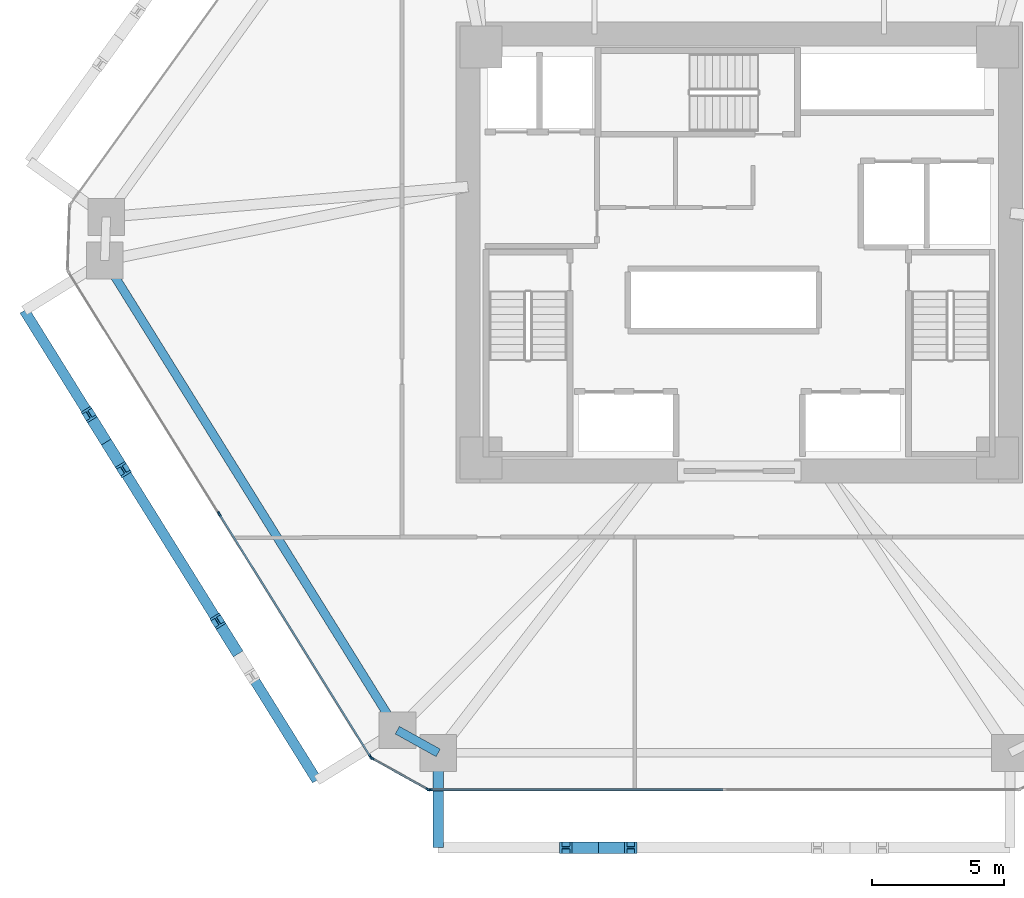
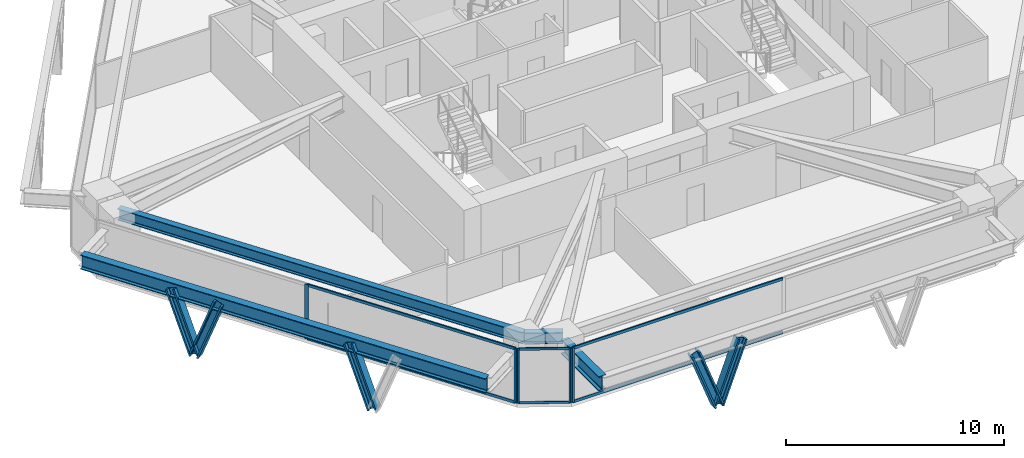
# One storey, part 2 of 14: 16 members, 4 beams, 3 elements without a shape of their own.
"""IFC4 building model written with IfcOpenShell, lengths in metres."""

from ifc_helpers import new_model, si_unit, direction, frame, origin, origin_2d, place, context, subcontext, project, spatial, rectangle, i_section, extrude, source, transform, mapped, material, layer, layer_set, material_profile, profile_set, type_object, type_shapes, element, aggregate, save


model = new_model("IFC4")

# Units and contexts
model_context = context("Model", 3, precision=1e-05, world=origin(), true_north=direction((0.0, 1.0)))
body_context = subcontext(model_context, "Body", "Model", "MODEL_VIEW")
ifc_project = project(units=[si_unit("LENGTHUNIT", "METRE"), si_unit("AREAUNIT", "SQUARE_METRE"), si_unit("VOLUMEUNIT", "CUBIC_METRE"), si_unit("PLANEANGLEUNIT", "RADIAN"), si_unit("MASSUNIT", "GRAM", prefix="KILO")], contexts=[model_context])

# Site, building, storey
site_placement = place(None, origin())
site = spatial("IfcSite", under=ifc_project, at=site_placement, CompositionType="ELEMENT")
building_placement = place(site_placement, origin())
building = spatial("IfcBuilding", under=site, at=building_placement, Name="Durnholm Broadcast Tower", CompositionType="ELEMENT")
storey_placement = place(building_placement, frame((0.0, 0.0, 35.699951171875)))
storey = spatial("IfcBuildingStorey", under=building, at=storey_placement, Name="L07", CompositionType="ELEMENT", Elevation=35.699951171875)

# Beams
ifc_material_1 = material(Name="Steel ASTM A992 Grade 50", Category="steel")
ifc_material_profile_1 = material_profile(ifc_material_1, i_section(OverallWidth=0.3291015625, OverallDepth=0.635009765625, WebThickness=0.017822265625, FlangeThickness=0.031005859375, FilletRadius=0.02783203125, at=origin_2d()), Name="W24X162")
ifc_profile_set_1 = profile_set([ifc_material_profile_1], Name="Steel ASTM A992 Grade 50")
beam_type_1 = type_object("IfcBeamType", Name="STL-SP-W24X162", PredefinedType="SPANDREL", material=ifc_profile_set_1)
shared_shape_1 = source(origin(), body_context, "Body", "SweptSolid", [
    extrude(i_section(OverallWidth=0.3291015625, OverallDepth=0.635009765625, WebThickness=0.017822265625, FlangeThickness=0.031005859375, FilletRadius=0.02783203125, at=origin_2d()), origin(), (0.0, 0.0, 1.0), 21.014404296875),
])
beam_1_placement = place(storey_placement, frame((-12.982666015625, -18.138427734375, 2.7275390625), z_axis=(-0.528595731543, 0.848873696491, 0.0), x_axis=(-0.848873696491, -0.528595731543, 0.0)))
element("IfcBeam", 1, at=beam_1_placement, inside=storey, type_object=beam_type_1, Name="L07 perimeter spandrel girder 01", PredefinedType="SPANDREL", context=body_context, shape_type="MappedRepresentation", body=[
    mapped(shared_shape_1, transform((0.0, 0.0, 0.0), x_axis=(1.0, 0.0, 0.0), y_axis=(0.0, 1.0, 0.0), z_axis=(0.0, 0.0, 1.0), scale=1.0)),
])
shared_shape_2 = source(origin(), body_context, "Body", "SweptSolid", [
    extrude(i_section(OverallWidth=0.3291015625, OverallDepth=0.635009765625, WebThickness=0.017822265625, FlangeThickness=0.031005859375, FilletRadius=0.02783203125, at=origin_2d()), origin(), (0.0, 0.0, 1.0), 1.774658203125),
])
type_shapes(beam_type_1, [shared_shape_1, shared_shape_2])
beam_2_placement = place(storey_placement, frame((-11.43115234375, -19.0, 2.7275390625), z_axis=(-0.874248107979, 0.485479397806, 0.0), x_axis=(-0.485479397806, -0.874248107979, 0.0)))
element("IfcBeam", 2, at=beam_2_placement, inside=storey, type_object=beam_type_1, Name="L07 perimeter spandrel girder 12", PredefinedType="SPANDREL", context=body_context, shape_type="MappedRepresentation", body=[
    mapped(shared_shape_2, transform((0.0, 0.0, 0.0), x_axis=(1.0, 0.0, 0.0), y_axis=(0.0, 1.0, 0.0), z_axis=(0.0, 0.0, 1.0), scale=1.0)),
])
ifc_material_profile_2 = material_profile(ifc_material_1, i_section(OverallWidth=0.385009765625, OverallDepth=0.802978515625, WebThickness=0.023681640625, FlangeThickness=0.0419921875, FilletRadius=0.032958984375, at=origin_2d()), Name="W30X261")
ifc_profile_set_2 = profile_set([ifc_material_profile_2], Name="Steel ASTM A992 Grade 50")
beam_type_2 = type_object("IfcBeamType", Name="BM-EXO-TIE", PredefinedType="USERDEFINED", material=ifc_profile_set_2)
shared_shape_3 = source(origin(), body_context, "Body", "SweptSolid", [
    extrude(i_section(OverallWidth=0.385009765625, OverallDepth=0.802978515625, WebThickness=0.023681640625, FlangeThickness=0.0419921875, FilletRadius=0.032958984375, at=origin_2d()), origin(), (0.0, 0.0, 1.0), 3.4560546875),
])
beam_3_placement = place(storey_placement, frame((-11.43115234375, -19.14404296875, 2.30859375), z_axis=(0.0, -1.0, 0.0), x_axis=(1.0, 0.0, 0.0)))
element("IfcBeam", 3, at=beam_3_placement, inside=storey, type_object=beam_type_2, Name="L07 exoskeleton stand-off tie bracket F1.1", ObjectType="GIRDER", PredefinedType="USERDEFINED", context=body_context, shape_type="MappedRepresentation", body=[
    mapped(shared_shape_3, transform((0.0, 0.0, 0.0), x_axis=(1.0, 0.0, 0.0), y_axis=(0.0, 1.0, 0.0), z_axis=(0.0, 0.0, 1.0), scale=1.0)),
])
shared_shape_4 = source(origin(), body_context, "Body", "SweptSolid", [
    extrude(i_section(OverallWidth=0.385009765625, OverallDepth=0.802978515625, WebThickness=0.023681640625, FlangeThickness=0.0419921875, FilletRadius=0.032958984375, at=origin_2d()), origin(), (0.0, 0.0, 1.0), 21.0146484375),
])
type_shapes(beam_type_2, [shared_shape_3, shared_shape_4])
beam_4_placement = place(storey_placement, frame((-27.146728515625, -2.20263671875, 2.30859375), z_axis=(0.528590518575, -0.848876942597, 0.0), x_axis=(0.848876942597, 0.528590518575, 0.0)))
element("IfcBeam", 4, at=beam_4_placement, inside=storey, type_object=beam_type_2, Name="L07 exoskeleton collector spandrel F6", PredefinedType="SPANDREL", context=body_context, shape_type="MappedRepresentation", body=[
    mapped(shared_shape_4, transform((0.0, 0.0, 0.0), x_axis=(1.0, 0.0, 0.0), y_axis=(0.0, 1.0, 0.0), z_axis=(0.0, 0.0, 1.0), scale=1.0)),
])

# Members
ifc_material_2 = material(Name="Steel ASTM A913 Grade 65", Category="steel")
ifc_material_profile_3 = material_profile(ifc_material_2, i_section(OverallWidth=0.43212890625, OverallDepth=0.497802734375, WebThickness=0.0556640625, FlangeThickness=0.0888671875, FilletRadius=0.030517578125, at=origin_2d()), Name="W14X500")
ifc_profile_set_3 = profile_set([ifc_material_profile_3], Name="Steel ASTM A913 Grade 65")
member_type_1 = type_object("IfcMemberType", Name="STL-DG-W14X500", PredefinedType="BRACE", material=ifc_profile_set_3)
shared_shape_5 = source(origin(), body_context, "Body", "SweptSolid", [
    extrude(i_section(OverallWidth=0.43212890625, OverallDepth=0.497802734375, WebThickness=0.0556640625, FlangeThickness=0.0888671875, FilletRadius=0.030517578125, at=origin_2d()), origin(), (0.0, 0.0, 1.0), 3.523193359375),
])
type_shapes(member_type_1, [shared_shape_5])
for number, where, z_axis, x_axis, name in (
    (5, (-5.351318359375, -22.60009765625, -0.991455078125), (-0.350219588454, 0.0, 0.936667625075), (0.0, -1.0, 0.0), "L07 stand-off diagrid brace F1.D1.1"),
    (6, (-5.351318359375, -22.60009765625, -0.991455078125), (0.350219588454, 0.0, 0.936667625075), (0.0, 1.0, 0.0), "L07 stand-off diagrid brace F1.D1.2"),
    (7, (-24.036376953125, -7.197509765625, -0.991455078125), (-0.185157304084, 0.297277258428, 0.936665897941), (-0.848819847179, -0.528682198523, 0.0), "L07 stand-off diagrid brace F6.D1.1"),
    (8, (-24.036376953125, -7.197509765625, -0.991455078125), (0.185090383068, -0.297281072018, 0.936677913861), (0.848908635391, 0.528539618911, 0.0), "L07 stand-off diagrid brace F6.D1.2"),
    (9, (-19.14892578125, -15.04638671875, -0.991455078125), (-0.185090383068, 0.297281072018, 0.936677913861), (-0.848908635391, -0.528539618911, 0.0), "L07 stand-off diagrid brace F6.D2.1"),
):
    element("IfcMember", number, at=place(storey_placement, frame(where, z_axis=z_axis, x_axis=x_axis)), inside=storey, type_object=member_type_1, Name=name, PredefinedType="BRACE", context=body_context, shape_type="MappedRepresentation", body=[
        mapped(shared_shape_5, transform((0.0, 0.0, 0.0), x_axis=(1.0, 0.0, 0.0), y_axis=(0.0, 1.0, 0.0), z_axis=(0.0, 0.0, 1.0), scale=1.0)),
    ])

# Curtain wall, members
ifc_material_3 = material(Name="Aluminium and Solar Control IGU", Category="aluminium")
ifc_layer_1 = layer(ifc_material_3, 0.1650390625)
ifc_layer_set_1 = layer_set([ifc_layer_1], Name="Aluminium and Solar Control IGU")
curtain_wall_type_1 = type_object("IfcCurtainWallType", Name="CW-SYS-5", PredefinedType="NOTDEFINED", material=ifc_layer_set_1)
curtain_wall_1_placement = place(storey_placement, origin())
curtain_wall_1 = element("IfcCurtainWall", 10, at=curtain_wall_1_placement, inside=storey, type_object=curtain_wall_type_1, Name="L07 curtain wall CW-CORNER CW-L07-CRN-11", PredefinedType="NOTDEFINED")
ifc_material_4 = material(Name="Aluminium 6063-T6", Category="aluminium")
ifc_material_profile_4 = material_profile(ifc_material_4, rectangle(XDim=0.06494140625, YDim=0.1650390625, at=origin_2d()), Name="CWM65X165")
ifc_profile_set_4 = profile_set([ifc_material_profile_4], Name="Aluminium 6063-T6")
member_type_2 = type_object("IfcMemberType", Name="CW-SYS-5-MUL", PredefinedType="MULLION", material=ifc_profile_set_4)
shared_shape_6 = source(origin(), body_context, "Body", "SweptSolid", [
    extrude(rectangle(XDim=0.06494140625, YDim=0.1650390625, at=origin_2d()), origin(), (0.0, 0.0, 1.0), 3.06005859375),
])
type_shapes(member_type_2, [shared_shape_6])
member_1_placement = place(storey_placement, frame((-11.822265625, -20.38427734375, 0.0), z_axis=(0.0, 0.0, 1.0), x_axis=(-0.485483299359, -0.874245941394, 0.0)))
member_1 = element("IfcMember", 11, at=member_1_placement, type_object=member_type_2, Name="CW-CORNER mullion 1", PredefinedType="MULLION", context=body_context, shape_type="MappedRepresentation", body=[
    mapped(shared_shape_6, transform((0.0, 0.0, 0.0), x_axis=(1.0, 0.0, 0.0), y_axis=(0.0, 1.0, 0.0), z_axis=(0.0, 0.0, 1.0), scale=1.0)),
])
member_2_placement = place(storey_placement, frame((-13.950927734375, -19.2021484375, 0.0), z_axis=(0.0, 0.0, 1.0), x_axis=(-0.485483299359, -0.874245941394, 0.0)))
member_2 = element("IfcMember", 12, at=member_2_placement, type_object=member_type_2, Name="CW-CORNER mullion 2", PredefinedType="MULLION", context=body_context, shape_type="MappedRepresentation", body=[
    mapped(shared_shape_6, transform((0.0, 0.0, 0.0), x_axis=(1.0, 0.0, 0.0), y_axis=(0.0, 1.0, 0.0), z_axis=(0.0, 0.0, 1.0), scale=1.0)),
])
ifc_material_profile_5 = material_profile(ifc_material_4, rectangle(XDim=0.06494140625, YDim=0.1298828125, at=origin_2d()), Name="CWT65X130")
ifc_profile_set_5 = profile_set([ifc_material_profile_5], Name="Aluminium 6063-T6")
member_type_3 = type_object("IfcMemberType", Name="CW-SYS-5-TRN", PredefinedType="USERDEFINED", material=ifc_profile_set_5)
shared_shape_7 = source(origin(), body_context, "Body", "SweptSolid", [
    extrude(rectangle(XDim=0.06494140625, YDim=0.1298828125, at=origin_2d()), origin(), (0.0, 0.0, 1.0), 2.3701171875),
])
type_shapes(member_type_3, [shared_shape_7])
member_3_placement = place(storey_placement, frame((-11.8505859375, -20.368408203125, 0.032470703125), z_axis=(-0.874244723151, 0.485485493132, 0.0), x_axis=(-0.485485493132, -0.874244723151, 0.0)))
member_3 = element("IfcMember", 13, at=member_3_placement, type_object=member_type_3, Name="CW-CORNER transom 1.1", ObjectType="TRANSOM", PredefinedType="USERDEFINED", context=body_context, shape_type="MappedRepresentation", body=[
    mapped(shared_shape_7, transform((0.0, 0.0, 0.0), x_axis=(1.0, 0.0, 0.0), y_axis=(0.0, 1.0, 0.0), z_axis=(0.0, 0.0, 1.0), scale=1.0)),
])
member_4_placement = place(storey_placement, frame((-11.8505859375, -20.368408203125, 3.027587890625), z_axis=(-0.874244723151, 0.485485493132, 0.0), x_axis=(-0.485485493132, -0.874244723151, 0.0)))
member_4 = element("IfcMember", 14, at=member_4_placement, type_object=member_type_3, Name="CW-CORNER transom 1.2", ObjectType="TRANSOM", PredefinedType="USERDEFINED", context=body_context, shape_type="MappedRepresentation", body=[
    mapped(shared_shape_7, transform((0.0, 0.0, 0.0), x_axis=(1.0, 0.0, 0.0), y_axis=(0.0, 1.0, 0.0), z_axis=(0.0, 0.0, 1.0), scale=1.0)),
])
aggregate(curtain_wall_1, [member_1, member_2, member_3, member_4])

# Curtain wall, member
ifc_layer_2 = layer(ifc_material_3, 0.18994140625)
ifc_layer_set_2 = layer_set([ifc_layer_2], Name="Aluminium and Solar Control IGU")
curtain_wall_type_2 = type_object("IfcCurtainWallType", Name="CW-SYS-3", PredefinedType="NOTDEFINED", material=ifc_layer_set_2)
curtain_wall_2_placement = place(storey_placement, origin())
curtain_wall_2 = element("IfcCurtainWall", 15, at=curtain_wall_2_placement, inside=storey, type_object=curtain_wall_type_2, Name="L07 curtain wall CW-Z12-VIS CW-L07-F10", PredefinedType="NOTDEFINED")
ifc_material_profile_6 = material_profile(ifc_material_4, rectangle(XDim=0.070068359375, YDim=0.18994140625, at=origin_2d()), Name="CWM70X190")
ifc_profile_set_6 = profile_set([ifc_material_profile_6], Name="Aluminium 6063-T6")
member_type_4 = type_object("IfcMemberType", Name="CW-SYS-3-MUL", PredefinedType="MULLION", material=ifc_profile_set_6)
shared_shape_8 = source(origin(), body_context, "Body", "SweptSolid", [
    extrude(rectangle(XDim=0.070068359375, YDim=0.18994140625, at=origin_2d()), origin(), (0.0, 0.0, 1.0), 3.06005859375),
])
type_shapes(member_type_4, [shared_shape_8])
member_5_placement = place(storey_placement, frame((-11.7587890625, -20.39990234375, 0.0), z_axis=(0.0, 0.0, 1.0), x_axis=(0.0, -1.0, 0.0)))
member_5 = element("IfcMember", 16, at=member_5_placement, type_object=member_type_4, Name="CW-Z12-VIS mullion 3", PredefinedType="MULLION", context=body_context, shape_type="MappedRepresentation", body=[
    mapped(shared_shape_8, transform((0.0, 0.0, 0.0), x_axis=(1.0, 0.0, 0.0), y_axis=(0.0, 1.0, 0.0), z_axis=(0.0, 0.0, 1.0), scale=1.0)),
])

# Curtain wall, members
curtain_wall_3_placement = place(storey_placement, origin())
curtain_wall_3 = element("IfcCurtainWall", 17, at=curtain_wall_3_placement, inside=storey, type_object=curtain_wall_type_2, Name="L07 curtain wall CW-Z12-VIS CW-L07-F12", PredefinedType="NOTDEFINED")
member_6_placement = place(storey_placement, frame((-13.997802734375, -19.156494140625, 0.0), z_axis=(0.0, 0.0, 1.0), x_axis=(-0.848875785503, -0.528592376777, 0.0)))
member_6 = element("IfcMember", 18, at=member_6_placement, type_object=member_type_4, Name="CW-Z12-VIS mullion 1", PredefinedType="MULLION", context=body_context, shape_type="MappedRepresentation", body=[
    mapped(shared_shape_8, transform((0.0, 0.0, 0.0), x_axis=(1.0, 0.0, 0.0), y_axis=(0.0, 1.0, 0.0), z_axis=(0.0, 0.0, 1.0), scale=1.0)),
])
member_7_placement = place(storey_placement, frame((-19.741943359375, -9.93212890625, 0.0), z_axis=(0.0, 0.0, 1.0), x_axis=(-0.848875785503, -0.528592376777, 0.0)))
member_7 = element("IfcMember", 19, at=member_7_placement, type_object=member_type_4, Name="CW-Z12-VIS mullion 2", PredefinedType="MULLION", context=body_context, shape_type="MappedRepresentation", body=[
    mapped(shared_shape_8, transform((0.0, 0.0, 0.0), x_axis=(1.0, 0.0, 0.0), y_axis=(0.0, 1.0, 0.0), z_axis=(0.0, 0.0, 1.0), scale=1.0)),
])
ifc_material_profile_7 = material_profile(ifc_material_4, rectangle(XDim=0.070068359375, YDim=0.14990234375, at=origin_2d()), Name="CWT70X150")
ifc_profile_set_7 = profile_set([ifc_material_profile_7], Name="Aluminium 6063-T6")
member_type_5 = type_object("IfcMemberType", Name="CW-SYS-3-TRN", PredefinedType="USERDEFINED", material=ifc_profile_set_7)
shared_shape_9 = source(origin(), body_context, "Body", "SweptSolid", [
    extrude(rectangle(XDim=0.070068359375, YDim=0.14990234375, at=origin_2d()), origin(), (0.0, 0.0, 1.0), 10.796630859375),
])
member_8_placement = place(storey_placement, frame((-14.016357421875, -19.126953125, 0.03515625), z_axis=(-0.528591657678, 0.848876233283, 0.0), x_axis=(-0.848876233283, -0.528591657678, 0.0)))
member_8 = element("IfcMember", 20, at=member_8_placement, type_object=member_type_5, Name="CW-Z12-VIS transom 1.1", ObjectType="TRANSOM", PredefinedType="USERDEFINED", context=body_context, shape_type="MappedRepresentation", body=[
    mapped(shared_shape_9, transform((0.0, 0.0, 0.0), x_axis=(1.0, 0.0, 0.0), y_axis=(0.0, 1.0, 0.0), z_axis=(0.0, 0.0, 1.0), scale=1.0)),
])
member_9_placement = place(storey_placement, frame((-14.016357421875, -19.126953125, 3.025146484375), z_axis=(-0.528591657678, 0.848876233283, 0.0), x_axis=(-0.848876233283, -0.528591657678, 0.0)))
member_9 = element("IfcMember", 21, at=member_9_placement, type_object=member_type_5, Name="CW-Z12-VIS transom 1.2", ObjectType="TRANSOM", PredefinedType="USERDEFINED", context=body_context, shape_type="MappedRepresentation", body=[
    mapped(shared_shape_9, transform((0.0, 0.0, 0.0), x_axis=(1.0, 0.0, 0.0), y_axis=(0.0, 1.0, 0.0), z_axis=(0.0, 0.0, 1.0), scale=1.0)),
])
aggregate(curtain_wall_3, [member_6, member_7, member_8, member_9])

# Member
shared_shape_10 = source(origin(), body_context, "Body", "SweptSolid", [
    extrude(rectangle(XDim=0.070068359375, YDim=0.14990234375, at=origin_2d()), origin(), (0.0, 0.0, 1.0), 11.10205078125),
])
type_shapes(member_type_5, [shared_shape_9, shared_shape_10])
member_10_placement = place(storey_placement, frame((-0.621826171875, -20.39990234375, 0.03515625), z_axis=(-1.0, 0.0, 0.0), x_axis=(0.0, -1.0, 0.0)))
member_10 = element("IfcMember", 22, at=member_10_placement, type_object=member_type_5, Name="CW-Z12-VIS transom 2.1", ObjectType="TRANSOM", PredefinedType="USERDEFINED", context=body_context, shape_type="MappedRepresentation", body=[
    mapped(shared_shape_10, transform((0.0, 0.0, 0.0), x_axis=(1.0, 0.0, 0.0), y_axis=(0.0, 1.0, 0.0), z_axis=(0.0, 0.0, 1.0), scale=1.0)),
])

member_11_placement = place(storey_placement, frame((-0.621826171875, -20.39990234375, 3.025146484375), z_axis=(-1.0, 0.0, 0.0), x_axis=(0.0, -1.0, 0.0)))
member_11 = element("IfcMember", 23, at=member_11_placement, type_object=member_type_5, Name="CW-Z12-VIS transom 2.2", ObjectType="TRANSOM", PredefinedType="USERDEFINED", context=body_context, shape_type="MappedRepresentation", body=[
    mapped(shared_shape_10, transform((0.0, 0.0, 0.0), x_axis=(1.0, 0.0, 0.0), y_axis=(0.0, 1.0, 0.0), z_axis=(0.0, 0.0, 1.0), scale=1.0)),
])

aggregate(curtain_wall_2, [member_5, member_10, member_11])

save(model, "model.ifc")
